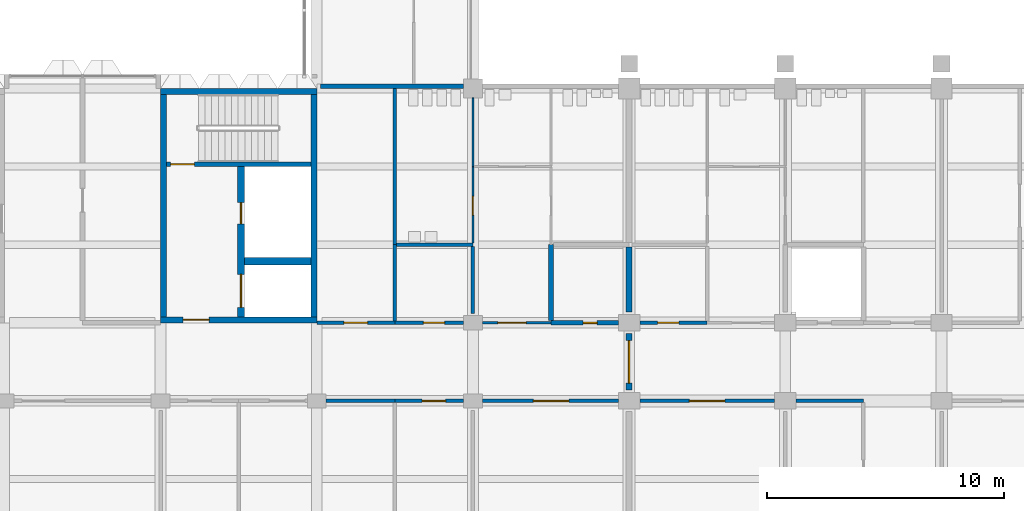
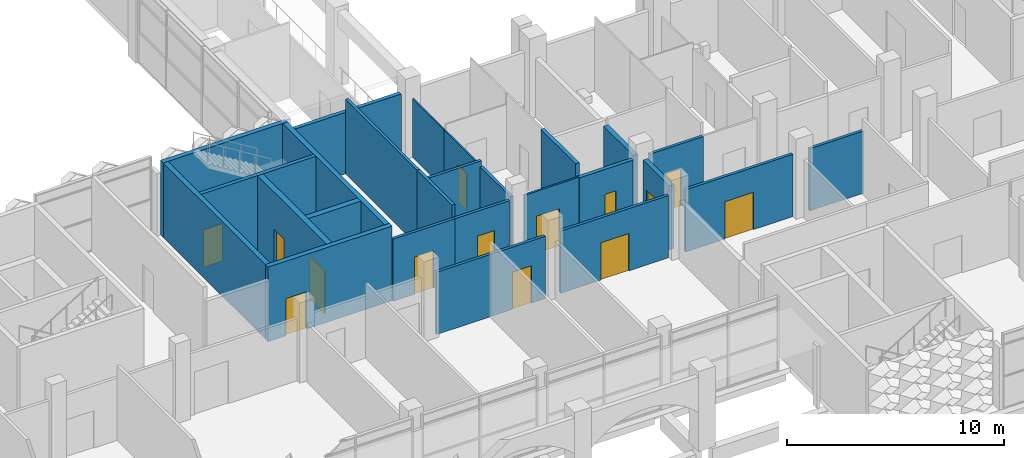
# One storey, part 28 of 87: 27 walls, 14 doors, 14 openings.
"""IFC4 building model written with IfcOpenShell, lengths in metres."""

from ifc_helpers import new_model, si_unit, direction, frame, frame_2d, origin, place, context, subcontext, project, spatial, rectangle, extrude, material, layer, layer_set, type_object, element, fill, save


model = new_model("IFC4")

# Units and contexts
model_context = context("Model", 3, precision=1e-05, world=origin(), true_north=direction((0.0, 1.0)))
body_context = subcontext(model_context, "Body", "Model", "MODEL_VIEW")
ifc_project = project(units=[si_unit("LENGTHUNIT", "METRE"), si_unit("AREAUNIT", "SQUARE_METRE"), si_unit("VOLUMEUNIT", "CUBIC_METRE"), si_unit("PLANEANGLEUNIT", "RADIAN"), si_unit("MASSUNIT", "GRAM", prefix="KILO")], contexts=[model_context])

# Site, building, storey
site_placement = place(None, origin())
site = spatial("IfcSite", under=ifc_project, at=site_placement, CompositionType="ELEMENT")
building_placement = place(site_placement, origin())
building = spatial("IfcBuilding", under=site, at=building_placement, Name="Lantern Court Research Institute", CompositionType="ELEMENT")
storey_placement = place(building_placement, frame((0.0, 0.0, 5.39990234375)))
storey = spatial("IfcBuildingStorey", under=building, at=storey_placement, Name="L01", CompositionType="ELEMENT", Elevation=5.39990234375)

# Wall, opening, door
ifc_material_1 = material(Name="Fire-rated gypsum board partition, mineral wool filled")
ifc_layer_1 = layer(ifc_material_1, 0.199951171875)
ifc_layer_set_1 = layer_set([ifc_layer_1], Name="Fire-rated gypsum board partition, mineral wool filled")
wall_type_1 = type_object("IfcWallType", Name="Compartment wall 200 EI 120", PredefinedType="PARTITIONING", material=ifc_layer_set_1)
wall_1_placement = place(storey_placement, frame((49.5, 13.199951171875, 0.0), z_axis=(0.0, 0.0, 1.0), x_axis=(1.0, 0.0, 0.0)))
wall_1 = element("IfcWall", 1, at=wall_1_placement, inside=storey, type_object=wall_type_1, Name="Compartment wall 200 EI 120", PredefinedType="PARTITIONING", context=body_context, shape_type="SweptSolid", body=[
    extrude(rectangle(XDim=2.85009765625, YDim=0.199951171875, at=frame_2d((1.425048828125, 0.0))), origin(), (0.0, 0.0, 1.0), 3.5),
])
opening_1_placement = place(wall_1_placement, frame((1.35009765625, 0.0, 0.0)))
opening_1 = element("IfcOpeningElement", 2, at=opening_1_placement, cuts=wall_1, Name="Opening D4110", PredefinedType="OPENING", context=body_context, shape_type="SweptSolid", body=[
    extrude(rectangle(XDim=0.60009765625, YDim=2.10009765625, at=frame_2d((0.300048828125, 1.050048828125))), frame((0.0, 0.10986328125, 0.0), z_axis=(0.0, -1.0, 0.0), x_axis=(1.0, 0.0, 0.0)), (0.0, 0.0, 1.0), 0.219970703125),
])
ifc_material_2 = material(Name="Solid-core timber door leaf", Category="wood")
ifc_layer_2 = layer(ifc_material_2, 0.06005859375)
ifc_layer_set_2 = layer_set([ifc_layer_2], Name="Solid-core timber door leaf")
door_type_1 = type_object("IfcDoorType", Name="Service riser door 600 x 2100 single FD60", OperationType="NOTDEFINED", PredefinedType="DOOR", material=ifc_layer_set_2)
door_1_placement = place(opening_1_placement, origin())
door_1 = element("IfcDoor", 3, at=door_1_placement, inside=storey, type_object=door_type_1, Name="Door D4110", OperationType="SINGLE_SWING_RIGHT", OverallHeight=2.10009765625, OverallWidth=0.60009765625, PredefinedType="DOOR", context=body_context, shape_type="SweptSolid", body=[
    extrude(rectangle(XDim=0.60009765625, YDim=2.10009765625, at=frame_2d((0.300048828125, 1.050048828125))), frame((0.0, 0.030029296875, 0.0), z_axis=(0.0, -1.0, 0.0), x_axis=(1.0, 0.0, 0.0)), (0.0, 0.0, 1.0), 0.06005859375),
])
fill(opening_1, door_1)

# Wall
wall_2_placement = place(storey_placement, frame((49.5, 13.300048828125, 0.0), z_axis=(0.0, 0.0, 1.0), x_axis=(0.0, 1.0, 0.0)))
element("IfcWall", 4, at=wall_2_placement, inside=storey, type_object=wall_type_1, Name="Compartment wall 200 EI 120", PredefinedType="PARTITIONING", context=body_context, shape_type="SweptSolid", body=[
    extrude(rectangle(XDim=3.199951171875, YDim=0.199951171875, at=frame_2d((1.60009765625, 0.0))), origin(), (0.0, 0.0, 1.0), 4.2001953125),
])

# Wall, opening, door
ifc_material_3 = material(Name="Fire-rated gypsum board partition, mineral wool filled")
ifc_layer_3 = layer(ifc_material_3, 0.14990234375)
ifc_layer_set_3 = layer_set([ifc_layer_3], Name="Fire-rated gypsum board partition, mineral wool filled")
wall_type_2 = type_object("IfcWallType", Name="Laboratory partition 150 EI 60", PredefinedType="PARTITIONING", material=ifc_layer_set_3)
wall_3_placement = place(storey_placement, frame((42.89990234375, 13.199951171875, 0.0), z_axis=(0.0, 0.0, 1.0), x_axis=(-1.0, 0.0, 0.0)))
wall_3 = element("IfcWall", 5, at=wall_3_placement, inside=storey, type_object=wall_type_2, Name="Laboratory partition 150 EI 60", PredefinedType="PARTITIONING", context=body_context, shape_type="SweptSolid", body=[
    extrude(rectangle(XDim=3.2998046875, YDim=0.14990234375, at=frame_2d((1.64990234375, 0.0))), origin(), (0.0, 0.0, 1.0), 3.5),
])
opening_2_placement = place(wall_3_placement, frame((1.14990234375, 0.0, 0.0)))
opening_2 = element("IfcOpeningElement", 6, at=opening_2_placement, cuts=wall_3, Name="Opening D4105", PredefinedType="OPENING", context=body_context, shape_type="SweptSolid", body=[
    extrude(rectangle(XDim=1.0, YDim=2.10009765625, at=frame_2d((0.5, 1.050048828125))), frame((0.0, 0.0849609375, 0.0), z_axis=(0.0, -1.0, 0.0), x_axis=(1.0, 0.0, 0.0)), (0.0, 0.0, 1.0), 0.169921875),
])
ifc_material_4 = material(Name="Solid-core timber door leaf with vision panel", Category="wood")
ifc_layer_4 = layer(ifc_material_4, 0.053955078125)
ifc_layer_set_4 = layer_set([ifc_layer_4], Name="Solid-core timber door leaf with vision panel")
door_type_2 = type_object("IfcDoorType", Name="Laboratory door 1000 x 2100 single FD30S", OperationType="NOTDEFINED", PredefinedType="DOOR", material=ifc_layer_set_4)
door_2_placement = place(opening_2_placement, origin())
door_2 = element("IfcDoor", 7, at=door_2_placement, inside=storey, type_object=door_type_2, Name="Door D4105", OperationType="SINGLE_SWING_LEFT", OverallHeight=2.10009765625, OverallWidth=1.0, PredefinedType="DOOR", context=body_context, shape_type="SweptSolid", body=[
    extrude(rectangle(XDim=1.0, YDim=2.10009765625, at=frame_2d((0.5, 1.050048828125))), frame((0.0, 0.02685546875, 0.0), z_axis=(0.0, -1.0, 0.0), x_axis=(1.0, 0.0, 0.0)), (0.0, 0.0, 1.0), 0.053955078125),
])
fill(opening_2, door_2)

wall_4_placement = place(storey_placement, frame((45.800048828125, 13.199951171875, 0.0), z_axis=(0.0, 0.0, 1.0), x_axis=(-1.0, 0.0, 0.0)))
wall_4 = element("IfcWall", 8, at=wall_4_placement, inside=storey, type_object=wall_type_2, Name="Laboratory partition 150 EI 60", PredefinedType="PARTITIONING", context=body_context, shape_type="SweptSolid", body=[
    extrude(rectangle(XDim=2.900146484375, YDim=0.14990234375, at=frame_2d((1.4501953125, 0.0))), origin(), (0.0, 0.0, 1.0), 3.5),
])
opening_3_placement = place(wall_4_placement, frame((0.800048828125, 0.0, 0.0)))
opening_3 = element("IfcOpeningElement", 9, at=opening_3_placement, cuts=wall_4, Name="Opening D4106", PredefinedType="OPENING", context=body_context, shape_type="SweptSolid", body=[
    extrude(rectangle(XDim=0.89990234375, YDim=2.10009765625, at=frame_2d((0.449951171875, 1.050048828125))), frame((0.0, 0.0849609375, 0.0), z_axis=(0.0, -1.0, 0.0), x_axis=(1.0, 0.0, 0.0)), (0.0, 0.0, 1.0), 0.169921875),
])
ifc_material_5 = material(Name="Solid-core timber door leaf", Category="wood")
ifc_layer_5 = layer(ifc_material_5, 0.053955078125)
ifc_layer_set_5 = layer_set([ifc_layer_5], Name="Solid-core timber door leaf")
door_type_3 = type_object("IfcDoorType", Name="Cleaners store door 900 x 2100 single FD30S", OperationType="NOTDEFINED", PredefinedType="DOOR", material=ifc_layer_set_5)
door_3_placement = place(opening_3_placement, origin())
door_3 = element("IfcDoor", 10, at=door_3_placement, inside=storey, type_object=door_type_3, Name="Door D4106", OperationType="SINGLE_SWING_LEFT", OverallHeight=2.10009765625, OverallWidth=0.89990234375, PredefinedType="DOOR", context=body_context, shape_type="SweptSolid", body=[
    extrude(rectangle(XDim=0.89990234375, YDim=2.10009765625, at=frame_2d((0.449951171875, 1.050048828125))), frame((0.0, 0.02685546875, 0.0), z_axis=(0.0, -1.0, 0.0), x_axis=(1.0, 0.0, 0.0)), (0.0, 0.0, 1.0), 0.053955078125),
])
fill(opening_3, door_3)

# Wall
wall_5_placement = place(storey_placement, frame((40.0, 9.89990234375, 0.0), z_axis=(0.0, 0.0, 1.0), x_axis=(1.0, 0.0, 0.0)))
element("IfcWall", 11, at=wall_5_placement, inside=storey, type_object=wall_type_2, Name="Laboratory partition 150 EI 60", PredefinedType="PARTITIONING", context=body_context, shape_type="SweptSolid", body=[
    extrude(rectangle(XDim=2.89990234375, YDim=0.14990234375, at=frame_2d((1.449951171875, 0.0))), origin(), (0.0, 0.0, 1.0), 3.5),
])

# Wall, opening, door
wall_6_placement = place(storey_placement, frame((42.89990234375, 9.89990234375, 0.0), z_axis=(0.0, 0.0, 1.0), x_axis=(1.0, 0.0, 0.0)))
wall_6 = element("IfcWall", 12, at=wall_6_placement, inside=storey, type_object=wall_type_2, Name="Laboratory partition 150 EI 60", PredefinedType="PARTITIONING", context=body_context, shape_type="SweptSolid", body=[
    extrude(rectangle(XDim=2.900146484375, YDim=0.14990234375, at=frame_2d((1.4501953125, 0.0))), origin(), (0.0, 0.0, 1.0), 3.5),
])
opening_4_placement = place(wall_6_placement, frame((1.14990234375, 0.0, 0.0)))
opening_4 = element("IfcOpeningElement", 13, at=opening_4_placement, cuts=wall_6, Name="Opening D4119", PredefinedType="OPENING", context=body_context, shape_type="SweptSolid", body=[
    extrude(rectangle(XDim=1.0, YDim=2.10009765625, at=frame_2d((0.5, 1.050048828125))), frame((0.0, 0.0849609375, 0.0), z_axis=(0.0, -1.0, 0.0), x_axis=(1.0, 0.0, 0.0)), (0.0, 0.0, 1.0), 0.169921875),
])
door_4_placement = place(opening_4_placement, origin())
door_4 = element("IfcDoor", 14, at=door_4_placement, inside=storey, type_object=door_type_2, Name="Door D4119", OperationType="SINGLE_SWING_LEFT", OverallHeight=2.10009765625, OverallWidth=1.0, PredefinedType="DOOR", context=body_context, shape_type="SweptSolid", body=[
    extrude(rectangle(XDim=1.0, YDim=2.10009765625, at=frame_2d((0.5, 1.050048828125))), frame((0.0, 0.02685546875, 0.0), z_axis=(0.0, -1.0, 0.0), x_axis=(1.0, 0.0, 0.0)), (0.0, 0.0, 1.0), 0.053955078125),
])
fill(opening_4, door_4)

wall_7_placement = place(storey_placement, frame((46.60009765625, 9.89990234375, 0.0), z_axis=(0.0, 0.0, 1.0), x_axis=(1.0, 0.0, 0.0)))
wall_7 = element("IfcWall", 15, at=wall_7_placement, inside=storey, type_object=wall_type_2, Name="Laboratory partition 150 EI 60", PredefinedType="PARTITIONING", context=body_context, shape_type="SweptSolid", body=[
    extrude(rectangle(XDim=5.75, YDim=0.14990234375, at=frame_2d((2.875, 0.0))), origin(), (0.0, 0.0, 1.0), 3.5),
])
opening_5_placement = place(wall_7_placement, frame((2.14990234375, 0.0, 0.0)))
opening_5 = element("IfcOpeningElement", 16, at=opening_5_placement, cuts=wall_7, Name="Opening D4120", PredefinedType="OPENING", context=body_context, shape_type="SweptSolid", body=[
    extrude(rectangle(XDim=1.5, YDim=2.10009765625, at=frame_2d((0.75, 1.050048828125))), frame((0.0, 0.0849609375, 0.0), z_axis=(0.0, -1.0, 0.0), x_axis=(1.0, 0.0, 0.0)), (0.0, 0.0, 1.0), 0.169921875),
])
ifc_material_6 = material(Name="Solid-core timber door leaf with vision panel", Category="wood")
ifc_layer_6 = layer(ifc_material_6, 0.053955078125)
ifc_layer_set_6 = layer_set([ifc_layer_6], Name="Solid-core timber door leaf with vision panel")
door_type_4 = type_object("IfcDoorType", Name="Laboratory double door 1500 x 2100 pair FD30S", OperationType="DOUBLE_DOOR_SINGLE_SWING", PredefinedType="DOOR", material=ifc_layer_set_6)
door_5_placement = place(opening_5_placement, origin())
door_5 = element("IfcDoor", 17, at=door_5_placement, inside=storey, type_object=door_type_4, Name="Door D4120", OperationType="DOUBLE_DOOR_SINGLE_SWING", OverallHeight=2.10009765625, OverallWidth=1.5, PredefinedType="DOOR", context=body_context, shape_type="SweptSolid", body=[
    extrude(rectangle(XDim=1.5, YDim=2.10009765625, at=frame_2d((0.75, 1.050048828125))), frame((0.0, 0.02685546875, 0.0), z_axis=(0.0, -1.0, 0.0), x_axis=(1.0, 0.0, 0.0)), (0.0, 0.0, 1.0), 0.053955078125),
])
fill(opening_5, door_5)

# Walls
wall_8_placement = place(storey_placement, frame((42.89990234375, 13.27490234375, 0.0), z_axis=(0.0, 0.0, 1.0), x_axis=(0.0, 1.0, 0.0)))
element("IfcWall", 18, at=wall_8_placement, inside=storey, type_object=wall_type_2, Name="Laboratory partition 150 EI 60", PredefinedType="PARTITIONING", context=body_context, shape_type="SweptSolid", body=[
    extrude(rectangle(XDim=3.22509765625, YDim=0.14990234375, at=frame_2d((1.612548828125, 0.0))), origin(), (0.0, 0.0, 1.0), 4.2001953125),
])
wall_9_placement = place(storey_placement, frame((42.89990234375, 16.5, 0.0), z_axis=(0.0, 0.0, 1.0), x_axis=(0.0, 1.0, 0.0)))
element("IfcWall", 19, at=wall_9_placement, inside=storey, type_object=wall_type_2, Name="Laboratory partition 150 EI 60", PredefinedType="PARTITIONING", context=body_context, shape_type="SweptSolid", body=[
    extrude(rectangle(XDim=6.60009765625, YDim=0.14990234375, at=frame_2d((3.300048828125, 0.0))), origin(), (0.0, 0.0, 1.0), 4.2001953125),
])
wall_10_placement = place(storey_placement, frame((46.199951171875, 16.5, 0.0), z_axis=(0.0, 0.0, 1.0), x_axis=(-1.0, 0.0, 0.0)))
element("IfcWall", 20, at=wall_10_placement, inside=storey, type_object=wall_type_2, Name="Laboratory partition 150 EI 60", PredefinedType="PARTITIONING", context=body_context, shape_type="SweptSolid", body=[
    extrude(rectangle(XDim=3.224853515625, YDim=0.14990234375, at=frame_2d((1.6123046875, 0.0))), origin(), (0.0, 0.0, 1.0), 3.60009765625),
])
wall_11_placement = place(storey_placement, frame((46.199951171875, 13.60009765625, 0.0), z_axis=(0.0, 0.0, 1.0), x_axis=(0.0, 1.0, 0.0)))
element("IfcWall", 21, at=wall_11_placement, inside=storey, type_object=wall_type_2, Name="Laboratory partition 150 EI 60", PredefinedType="PARTITIONING", context=body_context, shape_type="SweptSolid", body=[
    extrude(rectangle(XDim=2.824951171875, YDim=0.14990234375, at=frame_2d((1.41259765625, 0.0))), origin(), (0.0, 0.0, 1.0), 3.300048828125),
])

# Wall, opening, door
wall_12_placement = place(storey_placement, frame((56.10009765625, 13.199951171875, 0.0), z_axis=(0.0, 0.0, 1.0), x_axis=(-1.0, 0.0, 0.0)))
wall_12 = element("IfcWall", 22, at=wall_12_placement, inside=storey, type_object=wall_type_2, Name="Laboratory partition 150 EI 60", PredefinedType="PARTITIONING", context=body_context, shape_type="SweptSolid", body=[
    extrude(rectangle(XDim=2.85009765625, YDim=0.14990234375, at=frame_2d((1.425048828125, 0.0))), origin(), (0.0, 0.0, 1.0), 3.5),
])
opening_6_placement = place(wall_12_placement, frame((1.199951171875, 0.0, 0.0)))
opening_6 = element("IfcOpeningElement", 23, at=opening_6_placement, cuts=wall_12, Name="Opening D5101", PredefinedType="OPENING", context=body_context, shape_type="SweptSolid", body=[
    extrude(rectangle(XDim=0.89990234375, YDim=2.10009765625, at=frame_2d((0.449951171875, 1.050048828125))), frame((0.0, 0.0849609375, 0.0), z_axis=(0.0, -1.0, 0.0), x_axis=(1.0, 0.0, 0.0)), (0.0, 0.0, 1.0), 0.169921875),
])
door_6_placement = place(opening_6_placement, origin())
door_6 = element("IfcDoor", 24, at=door_6_placement, inside=storey, type_object=door_type_3, Name="Door D5101", OperationType="SINGLE_SWING_LEFT", OverallHeight=2.10009765625, OverallWidth=0.89990234375, PredefinedType="DOOR", context=body_context, shape_type="SweptSolid", body=[
    extrude(rectangle(XDim=0.89990234375, YDim=2.10009765625, at=frame_2d((0.449951171875, 1.050048828125))), frame((0.0, 0.02685546875, 0.0), z_axis=(0.0, -1.0, 0.0), x_axis=(1.0, 0.0, 0.0)), (0.0, 0.0, 1.0), 0.053955078125),
])
fill(opening_6, door_6)

wall_13_placement = place(storey_placement, frame((53.25, 9.89990234375, 0.0), z_axis=(0.0, 0.0, 1.0), x_axis=(1.0, 0.0, 0.0)))
wall_13 = element("IfcWall", 25, at=wall_13_placement, inside=storey, type_object=wall_type_2, Name="Laboratory partition 150 EI 60", PredefinedType="PARTITIONING", context=body_context, shape_type="SweptSolid", body=[
    extrude(rectangle(XDim=5.699951171875, YDim=0.14990234375, at=frame_2d((2.85009765625, 0.0))), origin(), (0.0, 0.0, 1.0), 3.5),
])
opening_7_placement = place(wall_13_placement, frame((2.10009765625, 0.0, 0.0)))
opening_7 = element("IfcOpeningElement", 26, at=opening_7_placement, cuts=wall_13, Name="Opening D5112", PredefinedType="OPENING", context=body_context, shape_type="SweptSolid", body=[
    extrude(rectangle(XDim=1.5, YDim=2.10009765625, at=frame_2d((0.75, 1.050048828125))), frame((0.0, 0.0849609375, 0.0), z_axis=(0.0, -1.0, 0.0), x_axis=(1.0, 0.0, 0.0)), (0.0, 0.0, 1.0), 0.169921875),
])
door_7_placement = place(opening_7_placement, origin())
door_7 = element("IfcDoor", 27, at=door_7_placement, inside=storey, type_object=door_type_4, Name="Door D5112", OperationType="DOUBLE_DOOR_SINGLE_SWING", OverallHeight=2.10009765625, OverallWidth=1.5, PredefinedType="DOOR", context=body_context, shape_type="SweptSolid", body=[
    extrude(rectangle(XDim=1.5, YDim=2.10009765625, at=frame_2d((0.75, 1.050048828125))), frame((0.0, 0.02685546875, 0.0), z_axis=(0.0, -1.0, 0.0), x_axis=(1.0, 0.0, 0.0)), (0.0, 0.0, 1.0), 0.053955078125),
])
fill(opening_7, door_7)

# Wall
wall_14_placement = place(storey_placement, frame((59.85009765625, 9.89990234375, 0.0), z_axis=(0.0, 0.0, 1.0), x_axis=(1.0, 0.0, 0.0)))
element("IfcWall", 28, at=wall_14_placement, inside=storey, type_object=wall_type_2, Name="Laboratory partition 150 EI 60", PredefinedType="PARTITIONING", context=body_context, shape_type="SweptSolid", body=[
    extrude(rectangle(XDim=2.849853515625, YDim=0.14990234375, at=frame_2d((1.4248046875, 0.0))), origin(), (0.0, 0.0, 1.0), 3.5),
])

# Wall, opening, door
ifc_material_7 = material(Name="Gypsum board partition, mineral wool filled")
ifc_layer_7 = layer(ifc_material_7, 0.10009765625)
ifc_layer_set_7 = layer_set([ifc_layer_7], Name="Gypsum board partition, mineral wool filled")
wall_type_3 = type_object("IfcWallType", Name="Partition 100", PredefinedType="PARTITIONING", material=ifc_layer_set_7)
wall_15_placement = place(storey_placement, frame((46.60009765625, 13.199951171875, 0.0), z_axis=(0.0, 0.0, 1.0), x_axis=(1.0, 0.0, 0.0)))
wall_15 = element("IfcWall", 29, at=wall_15_placement, inside=storey, type_object=wall_type_3, Name="Partition 100", PredefinedType="PARTITIONING", context=body_context, shape_type="SweptSolid", body=[
    extrude(rectangle(XDim=2.89990234375, YDim=0.10009765625, at=frame_2d((1.449951171875, 0.0))), origin(), (0.0, 0.0, 1.0), 3.5),
])
opening_8_placement = place(wall_15_placement, frame((0.64990234375, 0.0, 0.0)))
opening_8 = element("IfcOpeningElement", 30, at=opening_8_placement, cuts=wall_15, Name="Opening D4108", PredefinedType="OPENING", context=body_context, shape_type="SweptSolid", body=[
    extrude(rectangle(XDim=1.199951171875, YDim=2.10009765625, at=frame_2d((0.60009765625, 1.050048828125))), frame((0.0, 0.06005859375, 0.0), z_axis=(0.0, -1.0, 0.0), x_axis=(1.0, 0.0, 0.0)), (0.0, 0.0, 1.0), 0.1201171875),
])
ifc_material_8 = material(Name="Solid-core timber door leaf", Category="wood")
ifc_layer_8 = layer(ifc_material_8, 0.0439453125)
ifc_layer_set_8 = layer_set([ifc_layer_8], Name="Solid-core timber door leaf")
door_type_5 = type_object("IfcDoorType", Name="WC vestibule door 1200 x 2100 single NOT RATED", OperationType="NOTDEFINED", PredefinedType="DOOR", material=ifc_layer_set_8)
door_8_placement = place(opening_8_placement, origin())
door_8 = element("IfcDoor", 31, at=door_8_placement, inside=storey, type_object=door_type_5, Name="Door D4108", OperationType="SINGLE_SWING_RIGHT", OverallHeight=2.10009765625, OverallWidth=1.199951171875, PredefinedType="DOOR", context=body_context, shape_type="SweptSolid", body=[
    extrude(rectangle(XDim=1.199951171875, YDim=2.10009765625, at=frame_2d((0.60009765625, 1.050048828125))), frame((0.0, 0.02197265625, 0.0), z_axis=(0.0, -1.0, 0.0), x_axis=(1.0, 0.0, 0.0)), (0.0, 0.0, 1.0), 0.0439453125),
])
fill(opening_8, door_8)

# Wall
ifc_material_9 = material(Name="Fire-rated blockwork", Category="masonry")
ifc_layer_9 = layer(ifc_material_9, 0.199951171875)
ifc_layer_set_9 = layer_set([ifc_layer_9], Name="Fire-rated blockwork")
wall_type_4 = type_object("IfcWallType", Name="Party wall 200 mm EI 120", PredefinedType="PARTITIONING", material=ifc_layer_set_9)
wall_16_placement = place(storey_placement, frame((39.75, 23.199951171875, 0.0), z_axis=(0.0, 0.0, 1.0), x_axis=(1.0, 0.0, 0.0)))
element("IfcWall", 32, at=wall_16_placement, inside=storey, type_object=wall_type_4, Name="Wall V2-L01-001", PredefinedType="PARTITIONING", context=body_context, shape_type="SweptSolid", body=[
    extrude(rectangle(XDim=6.050048828125, YDim=0.199951171875, at=frame_2d((3.02490234375, 0.0))), origin(), (0.0, 0.0, 1.0), 3.4501953125),
])

# Wall, opening, door
ifc_material_10 = material(Name="Fire-rated gypsum board partition, double stud, mineral wool filled")
ifc_layer_10 = layer(ifc_material_10, 0.25)
ifc_layer_set_10 = layer_set([ifc_layer_10], Name="Fire-rated gypsum board partition, double stud, mineral wool filled")
wall_type_5 = type_object("IfcWallType", Name="Plant compartment wall 250 EI 120", PredefinedType="PARTITIONING", material=ifc_layer_set_10)
wall_17_placement = place(storey_placement, frame((52.800048828125, 10.35009765625, 0.0), z_axis=(0.0, 0.0, 1.0), x_axis=(0.0, 1.0, 0.0)))
wall_17 = element("IfcWall", 33, at=wall_17_placement, inside=storey, type_object=wall_type_5, Name="Plant compartment wall 250 EI 120", PredefinedType="PARTITIONING", context=body_context, shape_type="SweptSolid", body=[
    extrude(rectangle(XDim=2.39990234375, YDim=0.25, at=frame_2d((1.199951171875, 0.0))), origin(), (0.0, 0.0, 1.0), 3.60009765625),
])
opening_9_placement = place(wall_17_placement, frame((0.300048828125, 0.0, 0.0)))
opening_9 = element("IfcOpeningElement", 34, at=opening_9_placement, cuts=wall_17, Name="Opening D4101", PredefinedType="OPENING", context=body_context, shape_type="SweptSolid", body=[
    extrude(rectangle(XDim=1.800048828125, YDim=2.10009765625, at=frame_2d((0.89990234375, 1.050048828125))), frame((0.0, 0.135009765625, 0.0), z_axis=(0.0, -1.0, 0.0), x_axis=(1.0, 0.0, 0.0)), (0.0, 0.0, 1.0), 0.27001953125),
])
ifc_material_11 = material(Name="Solid-core timber door leaf", Category="wood")
ifc_layer_11 = layer(ifc_material_11, 0.06005859375)
ifc_layer_set_11 = layer_set([ifc_layer_11], Name="Solid-core timber door leaf")
door_type_6 = type_object("IfcDoorType", Name="Corridor fire door pair door 1800 x 2100 pair FD60", OperationType="DOUBLE_DOOR_SINGLE_SWING", PredefinedType="DOOR", material=ifc_layer_set_11)
door_9_placement = place(opening_9_placement, origin())
door_9 = element("IfcDoor", 35, at=door_9_placement, inside=storey, type_object=door_type_6, Name="Door D4101", OperationType="DOUBLE_DOOR_SINGLE_SWING", OverallHeight=2.10009765625, OverallWidth=1.800048828125, PredefinedType="DOOR", context=body_context, shape_type="SweptSolid", body=[
    extrude(rectangle(XDim=1.800048828125, YDim=2.10009765625, at=frame_2d((0.89990234375, 1.050048828125))), frame((0.0, 0.030029296875, 0.0), z_axis=(0.0, -1.0, 0.0), x_axis=(1.0, 0.0, 0.0)), (0.0, 0.0, 1.0), 0.06005859375),
])
fill(opening_9, door_9)

# Wall
wall_18_placement = place(storey_placement, frame((52.800048828125, 13.64990234375, 0.0), z_axis=(0.0, 0.0, 1.0), x_axis=(0.0, 1.0, 0.0)))
element("IfcWall", 36, at=wall_18_placement, inside=storey, type_object=wall_type_5, Name="Plant compartment wall 250 EI 120", PredefinedType="PARTITIONING", context=body_context, shape_type="SweptSolid", body=[
    extrude(rectangle(XDim=2.75, YDim=0.25, at=frame_2d((1.375, 0.0))), origin(), (0.0, 0.0, 1.0), 3.300048828125),
])

# Wall, opening, door
ifc_material_12 = material(Name="Concrete C40/50", Category="concrete")
ifc_layer_12 = layer(ifc_material_12, 0.25)
ifc_layer_set_12 = layer_set([ifc_layer_12], Name="Concrete C40/50")
wall_type_6 = type_object("IfcWallType", Name="RC core wall 250", PredefinedType="SHEAR", material=ifc_layer_set_12)
wall_19_placement = place(storey_placement, frame((33.0, 13.324951171875, 0.0), z_axis=(0.0, 0.0, 1.0), x_axis=(1.0, 0.0, 0.0)))
wall_19 = element("IfcWall", 37, at=wall_19_placement, inside=storey, type_object=wall_type_6, Name="South wall of core BC-E", PredefinedType="SHEAR", context=body_context, shape_type="SweptSolid", body=[
    extrude(rectangle(XDim=6.60009765625, YDim=0.25, at=frame_2d((3.300048828125, 0.0))), origin(), (0.0, 0.0, 1.0), 4.2001953125),
])
opening_10_placement = place(wall_19_placement, frame((0.949951171875, 0.0, 0.0)))
opening_10 = element("IfcOpeningElement", 38, at=opening_10_placement, cuts=wall_19, Name="Opening D7076", PredefinedType="OPENING", context=body_context, shape_type="SweptSolid", body=[
    extrude(rectangle(XDim=1.10009765625, YDim=2.10009765625, at=frame_2d((0.550048828125, 1.050048828125))), frame((0.0, 0.135009765625, 0.0), z_axis=(0.0, -1.0, 0.0), x_axis=(1.0, 0.0, 0.0)), (0.0, 0.0, 1.0), 0.27001953125),
])
ifc_material_13 = material(Name="Steel fire door leaf with smoke seals", Category="steel")
door_type_7 = type_object("IfcDoorType", Name="Door 1100 x 2100 fire rated FD60S", OperationType="NOTDEFINED", PredefinedType="DOOR", material=ifc_material_13)
door_10_placement = place(opening_10_placement, origin())
door_10 = element("IfcDoor", 39, at=door_10_placement, inside=storey, type_object=door_type_7, Name="Lobby door", OperationType="SINGLE_SWING_RIGHT", OverallHeight=2.10009765625, OverallWidth=1.10009765625, PredefinedType="DOOR", context=body_context, shape_type="SweptSolid", body=[
    extrude(rectangle(XDim=1.10009765625, YDim=2.10009765625, at=frame_2d((0.550048828125, 1.050048828125))), frame((0.0, 0.02490234375, 0.0), z_axis=(0.0, -1.0, 0.0), x_axis=(1.0, 0.0, 0.0)), (0.0, 0.0, 1.0), 0.050048828125),
])
fill(opening_10, door_10)

# Walls
for number, where, z_axis, x_axis, name in (
    (40, (33.125, 13.449951171875, 0.0), (0.0, 0.0, 1.0), (0.0, 1.0, 0.0), "West wall of core BC-E"),
    (41, (39.47509765625, 13.449951171875, 0.0), (0.0, 0.0, 1.0), (0.0, 1.0, 0.0), "East wall of core BC-E"),
):
    element("IfcWall", number, at=place(storey_placement, frame(where, z_axis=z_axis, x_axis=x_axis)), inside=storey, type_object=wall_type_6, Name=name, PredefinedType="SHEAR", context=body_context, shape_type="SweptSolid", body=[
        extrude(rectangle(XDim=9.400146484375, YDim=0.25, at=frame_2d((4.7001953125, 0.0))), origin(), (0.0, 0.0, 1.0), 4.2001953125),
    ])
ifc_material_14 = material(Name="Concrete C40/50", Category="concrete")
ifc_layer_13 = layer(ifc_material_14, 0.25)
ifc_layer_set_13 = layer_set([ifc_layer_13], Name="Concrete C40/50")
wall_type_7 = type_object("IfcWallType", Name="RC core wall 250 facade", PredefinedType="SHEAR", material=ifc_layer_set_13)
wall_20_placement = place(storey_placement, frame((33.0, 22.97509765625, 0.0), z_axis=(0.0, 0.0, 1.0), x_axis=(1.0, 0.0, 0.0)))
element("IfcWall", 42, at=wall_20_placement, inside=storey, type_object=wall_type_7, Name="North wall of core BC-E", PredefinedType="SHEAR", context=body_context, shape_type="SweptSolid", body=[
    extrude(rectangle(XDim=6.60009765625, YDim=0.25, at=frame_2d((3.300048828125, 0.0))), origin(), (0.0, 0.0, 1.0), 4.2001953125),
])

# Wall, opening, door
ifc_material_15 = material(Name="Concrete C40/50", Category="concrete")
ifc_layer_14 = layer(ifc_material_15, 0.199951171875)
ifc_layer_set_14 = layer_set([ifc_layer_14], Name="Concrete C40/50")
wall_type_8 = type_object("IfcWallType", Name="RC shaft wall 200", PredefinedType="SHEAR", material=ifc_layer_set_14)
wall_21_placement = place(storey_placement, frame((33.25, 19.89990234375, 0.0), z_axis=(0.0, 0.0, 1.0), x_axis=(1.0, 0.0, 0.0)))
wall_21 = element("IfcWall", 43, at=wall_21_placement, inside=storey, type_object=wall_type_8, Name="Stair wall of core BC-E", PredefinedType="SHEAR", context=body_context, shape_type="SweptSolid", body=[
    extrude(rectangle(XDim=6.10009765625, YDim=0.199951171875, at=frame_2d((3.050048828125, 0.0))), origin(), (0.0, 0.0, 1.0), 4.2001953125),
])
opening_11_placement = place(wall_21_placement, frame((0.175048828125, 0.0, 0.0)))
opening_11 = element("IfcOpeningElement", 44, at=opening_11_placement, cuts=wall_21, Name="Opening D7077", PredefinedType="OPENING", context=body_context, shape_type="SweptSolid", body=[
    extrude(rectangle(XDim=1.0, YDim=2.10009765625, at=frame_2d((0.5, 1.050048828125))), frame((0.0, 0.10986328125, 0.0), z_axis=(0.0, -1.0, 0.0), x_axis=(1.0, 0.0, 0.0)), (0.0, 0.0, 1.0), 0.219970703125),
])
ifc_material_16 = material(Name="Steel fire door leaf with smoke seals", Category="steel")
door_type_8 = type_object("IfcDoorType", Name="Door 1000 x 2100 fire rated FD60S", OperationType="NOTDEFINED", PredefinedType="DOOR", material=ifc_material_16)
door_11_placement = place(opening_11_placement, origin())
door_11 = element("IfcDoor", 45, at=door_11_placement, inside=storey, type_object=door_type_8, Name="Stair door", OperationType="SINGLE_SWING_RIGHT", OverallHeight=2.10009765625, OverallWidth=1.0, PredefinedType="DOOR", context=body_context, shape_type="SweptSolid", body=[
    extrude(rectangle(XDim=1.0, YDim=2.10009765625, at=frame_2d((0.5, 1.050048828125))), frame((0.0, 0.02490234375, 0.0), z_axis=(0.0, -1.0, 0.0), x_axis=(1.0, 0.0, 0.0)), (0.0, 0.0, 1.0), 0.050048828125),
])
fill(opening_11, door_11)

# Wall, openings, doors
ifc_material_17 = material(Name="Concrete C40/50", Category="concrete")
ifc_layer_15 = layer(ifc_material_17, 0.300048828125)
ifc_layer_set_15 = layer_set([ifc_layer_15], Name="Concrete C40/50")
wall_type_9 = type_object("IfcWallType", Name="RC shaft wall 300", PredefinedType="SHEAR", material=ifc_layer_set_15)
wall_22_placement = place(storey_placement, frame((36.39990234375, 13.449951171875, 0.0), z_axis=(0.0, 0.0, 1.0), x_axis=(0.0, 1.0, 0.0)))
wall_22 = element("IfcWall", 46, at=wall_22_placement, inside=storey, type_object=wall_type_9, Name="Lift shaft wall of core BC-E", PredefinedType="SHEAR", context=body_context, shape_type="SweptSolid", body=[
    extrude(rectangle(XDim=6.35009765625, YDim=0.300048828125, at=frame_2d((3.175048828125, 0.0))), origin(), (0.0, 0.0, 1.0), 4.2001953125),
])
opening_12_placement = place(wall_22_placement, frame((3.925048828125, 0.0, 0.0)))
opening_12 = element("IfcOpeningElement", 47, at=opening_12_placement, cuts=wall_22, Name="Opening D7075", PredefinedType="OPENING", context=body_context, shape_type="SweptSolid", body=[
    extrude(rectangle(XDim=0.89990234375, YDim=2.10009765625, at=frame_2d((0.449951171875, 1.050048828125))), frame((0.0, 0.159912109375, 0.0), z_axis=(0.0, -1.0, 0.0), x_axis=(1.0, 0.0, 0.0)), (0.0, 0.0, 1.0), 0.320068359375),
])
opening_13_placement = place(wall_22_placement, frame((0.39990234375, 0.0, 0.0)))
opening_13 = element("IfcOpeningElement", 48, at=opening_13_placement, cuts=wall_22, Name="Opening D7078", PredefinedType="OPENING", context=body_context, shape_type="SweptSolid", body=[
    extrude(rectangle(XDim=1.39990234375, YDim=2.39990234375, at=frame_2d((0.699951171875, 1.199951171875))), frame((0.0, 0.159912109375, 0.0), z_axis=(0.0, -1.0, 0.0), x_axis=(1.0, 0.0, 0.0)), (0.0, 0.0, 1.0), 0.320068359375),
])
ifc_material_18 = material(Name="Steel fire door leaf", Category="steel")
door_type_9 = type_object("IfcDoorType", Name="Door 900 x 2100 fire rated FD60", OperationType="NOTDEFINED", PredefinedType="DOOR", material=ifc_material_18)
door_12_placement = place(opening_12_placement, origin())
door_12 = element("IfcDoor", 49, at=door_12_placement, inside=storey, type_object=door_type_9, Name="Riser door", OperationType="SINGLE_SWING_RIGHT", OverallHeight=2.10009765625, OverallWidth=0.89990234375, PredefinedType="DOOR", context=body_context, shape_type="SweptSolid", body=[
    extrude(rectangle(XDim=0.89990234375, YDim=2.10009765625, at=frame_2d((0.449951171875, 1.050048828125))), frame((0.0, 0.02490234375, 0.0), z_axis=(0.0, -1.0, 0.0), x_axis=(1.0, 0.0, 0.0)), (0.0, 0.0, 1.0), 0.050048828125),
])
fill(opening_12, door_12)
ifc_material_19 = material(Name="Stainless steel landing door panels", Category="steel")
door_type_10 = type_object("IfcDoorType", Name="Lift landing door 1400 x 2400 sliding FD60", OperationType="DOUBLE_DOOR_SLIDING", PredefinedType="NOTDEFINED", material=ifc_material_19)
door_13_placement = place(opening_13_placement, origin())
door_13 = element("IfcDoor", 50, at=door_13_placement, inside=storey, type_object=door_type_10, Name="Landing door", OperationType="DOUBLE_DOOR_SLIDING", OverallHeight=2.39990234375, OverallWidth=1.39990234375, PredefinedType="NOTDEFINED", context=body_context, shape_type="SweptSolid", body=[
    extrude(rectangle(XDim=1.39990234375, YDim=2.39990234375, at=frame_2d((0.699951171875, 1.199951171875))), frame((0.0, 0.02490234375, 0.0), z_axis=(0.0, -1.0, 0.0), x_axis=(1.0, 0.0, 0.0)), (0.0, 0.0, 1.0), 0.050048828125),
])
fill(opening_13, door_13)

# Wall
wall_23_placement = place(storey_placement, frame((36.550048828125, 15.800048828125, 0.0), z_axis=(0.0, 0.0, 1.0), x_axis=(1.0, 0.0, 0.0)))
element("IfcWall", 51, at=wall_23_placement, inside=storey, type_object=wall_type_9, Name="Lift shaft wall of core BC-E", PredefinedType="SHEAR", context=body_context, shape_type="SweptSolid", body=[
    extrude(rectangle(XDim=2.800048828125, YDim=0.300048828125, at=frame_2d((1.39990234375, 0.0))), origin(), (0.0, 0.0, 1.0), 4.2001953125),
])

# Wall, opening, door
ifc_material_20 = material(Name="Gypsum board partition, mineral wool filled")
ifc_layer_16 = layer(ifc_material_20, 0.074951171875)
ifc_layer_set_16 = layer_set([ifc_layer_16], Name="Gypsum board partition, mineral wool filled")
wall_type_10 = type_object("IfcWallType", Name="Wet room partition 75", PredefinedType="PARTITIONING", material=ifc_layer_set_16)
wall_24_placement = place(storey_placement, frame((46.199951171875, 16.574951171875, 0.0), z_axis=(0.0, 0.0, 1.0), x_axis=(0.0, 1.0, 0.0)))
wall_24 = element("IfcWall", 52, at=wall_24_placement, inside=storey, type_object=wall_type_10, Name="Wet room partition 75", PredefinedType="PARTITIONING", context=body_context, shape_type="SweptSolid", body=[
    extrude(rectangle(XDim=3.22509765625, YDim=0.074951171875, at=frame_2d((1.612548828125, 0.0))), origin(), (0.0, 0.0, 1.0), 3.300048828125),
])
opening_14_placement = place(wall_24_placement, frame((1.175048828125, 0.0, 0.0)))
opening_14 = element("IfcOpeningElement", 53, at=opening_14_placement, cuts=wall_24, Name="Opening D4107", PredefinedType="OPENING", context=body_context, shape_type="SweptSolid", body=[
    extrude(rectangle(XDim=0.800048828125, YDim=2.10009765625, at=frame_2d((0.39990234375, 1.050048828125))), frame((0.0, 0.04736328125, 0.0), z_axis=(0.0, -1.0, 0.0), x_axis=(1.0, 0.0, 0.0)), (0.0, 0.0, 1.0), 0.094970703125),
])
ifc_material_21 = material(Name="Solid-core timber door leaf", Category="wood")
ifc_layer_17 = layer(ifc_material_21, 0.0439453125)
ifc_layer_set_17 = layer_set([ifc_layer_17], Name="Solid-core timber door leaf")
door_type_11 = type_object("IfcDoorType", Name="WC door 800 x 2100 single NOT RATED", OperationType="NOTDEFINED", PredefinedType="DOOR", material=ifc_layer_set_17)
door_14_placement = place(opening_14_placement, origin())
door_14 = element("IfcDoor", 54, at=door_14_placement, inside=storey, type_object=door_type_11, Name="Door D4107", OperationType="SINGLE_SWING_LEFT", OverallHeight=2.10009765625, OverallWidth=0.800048828125, PredefinedType="DOOR", context=body_context, shape_type="SweptSolid", body=[
    extrude(rectangle(XDim=0.800048828125, YDim=2.10009765625, at=frame_2d((0.39990234375, 1.050048828125))), frame((0.0, 0.02197265625, 0.0), z_axis=(0.0, -1.0, 0.0), x_axis=(1.0, 0.0, 0.0)), (0.0, 0.0, 1.0), 0.0439453125),
])
fill(opening_14, door_14)

# Wall
wall_25_placement = place(storey_placement, frame((46.199951171875, 19.800048828125, 0.0), z_axis=(0.0, 0.0, 1.0), x_axis=(0.0, 1.0, 0.0)))
element("IfcWall", 55, at=wall_25_placement, inside=storey, type_object=wall_type_10, Name="Wet room partition 75", PredefinedType="PARTITIONING", context=body_context, shape_type="SweptSolid", body=[
    extrude(rectangle(XDim=2.89990234375, YDim=0.074951171875, at=frame_2d((1.449951171875, 0.0))), origin(), (0.0, 0.0, 1.0), 3.300048828125),
])

save(model, "model.ifc")
